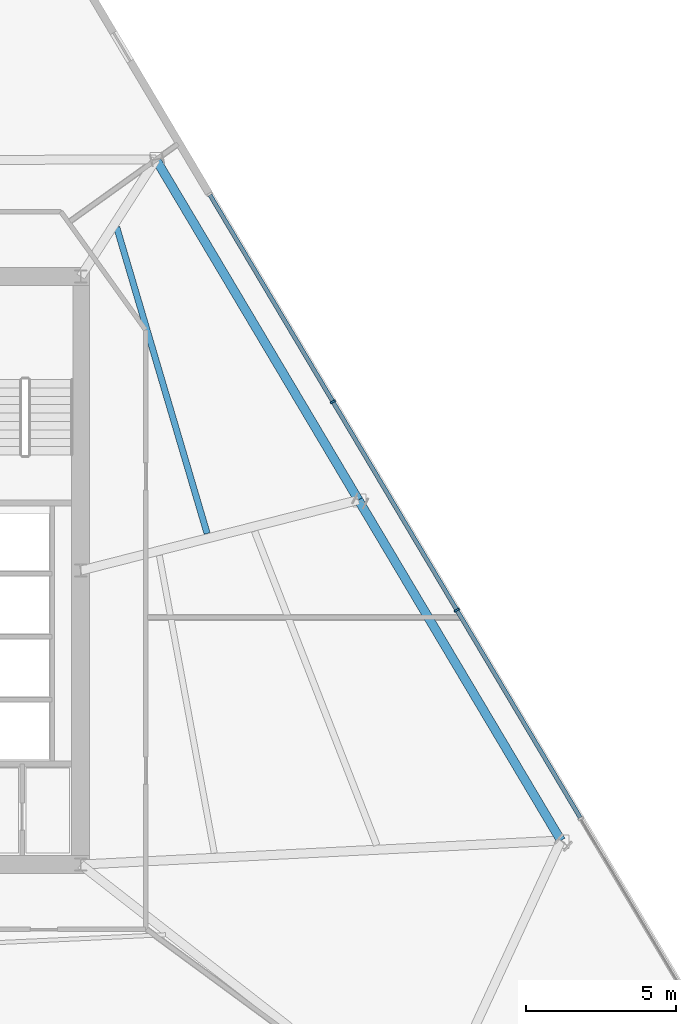
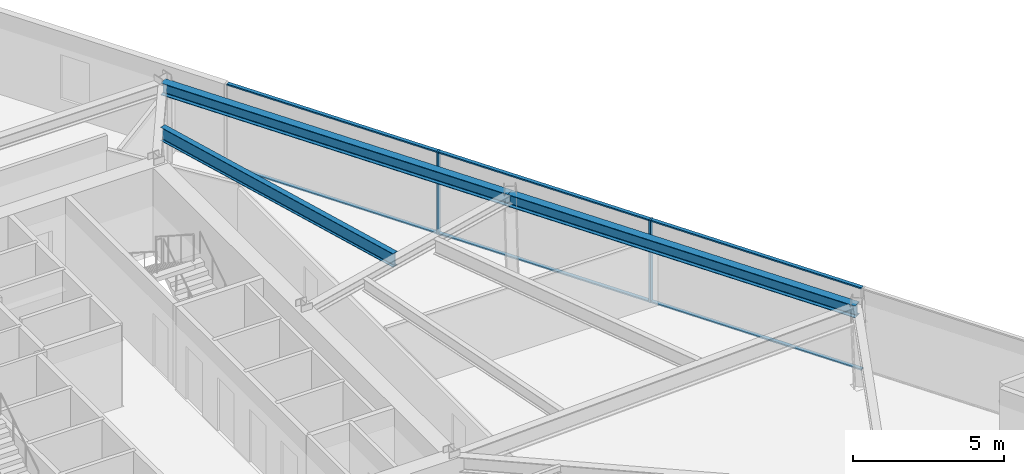
# One storey, part 5 of 15: 8 members, 3 beams, 1 element without a shape of its own.
"""IFC4 building model written with IfcOpenShell, lengths in metres."""

from ifc_helpers import new_model, si_unit, direction, frame, origin, origin_2d, place, context, subcontext, project, spatial, rectangle, i_section, extrude, material, material_profile, profile_set, type_object, element, aggregate, save


model = new_model("IFC4")

# Units and contexts
model_context = context("Model", 3, precision=1e-05, world=origin(), true_north=direction((0.0, 1.0)))
body_context = subcontext(model_context, "Body", "Model", "MODEL_VIEW")
ifc_project = project(units=[si_unit("LENGTHUNIT", "METRE"), si_unit("AREAUNIT", "SQUARE_METRE"), si_unit("VOLUMEUNIT", "CUBIC_METRE"), si_unit("PLANEANGLEUNIT", "RADIAN"), si_unit("MASSUNIT", "GRAM", prefix="KILO")], contexts=[model_context])

# Site, building, storey
site_placement = place(None, origin())
site = spatial("IfcSite", under=ifc_project, at=site_placement, CompositionType="ELEMENT")
building_placement = place(site_placement, origin())
building = spatial("IfcBuilding", under=site, at=building_placement, Name="Savorim Split Tower", CompositionType="ELEMENT")
storey_placement = place(building_placement, frame((0.0, 0.0, 82.5)))
storey = spatial("IfcBuildingStorey", under=building, at=storey_placement, Name="L21", CompositionType="ELEMENT", Elevation=82.5)

# Beams
ifc_material_1 = material(Name="Steel S355", Category="steel")
ifc_material_profile_1 = material_profile(ifc_material_1, i_section(OverallWidth=0.2099609375, OverallDepth=0.550048828125, WebThickness=0.010986328125, FlangeThickness=0.01708984375, FilletRadius=0.02392578125, at=origin_2d()), Name="IPE 550")
ifc_profile_set_1 = profile_set([ifc_material_profile_1], Name="Steel S355")
beam_type_1 = type_object("IfcBeamType", Name="BM-JST-IPE550", PredefinedType="JOIST", material=ifc_profile_set_1)
beam_1_placement = place(storey_placement, frame((11.913818359375, 1.635498046875, 3.074951171875), z_axis=(-0.283239209798, 0.959049294892, 0.0), x_axis=(-0.959049294892, -0.283239209798, 0.0)))
element("IfcBeam", 1, at=beam_1_placement, inside=storey, type_object=beam_type_1, Name="L21 Secondary Floor Joist JS-07", PredefinedType="JOIST", context=body_context, shape_type="SweptSolid", body=[
    extrude(i_section(OverallWidth=0.2099609375, OverallDepth=0.550048828125, WebThickness=0.010986328125, FlangeThickness=0.01708984375, FilletRadius=0.02392578125, at=origin_2d()), origin(), (0.0, 0.0, 1.0), 10.642578125),
])
ifc_material_profile_2 = material_profile(ifc_material_1, i_section(OverallWidth=0.300048828125, OverallDepth=0.489990234375, WebThickness=0.011962890625, FlangeThickness=0.02294921875, FilletRadius=0.027099609375, at=origin_2d()), Name="HEA 500")
ifc_profile_set_2 = profile_set([ifc_material_profile_2], Name="Steel S355")
beam_type_2 = type_object("IfcBeamType", Name="BM-SPN-HEA500", PredefinedType="SPANDREL", material=ifc_profile_set_2)
beam_2_placement = place(storey_placement, frame((23.708984375, -8.599365234375, 3.10498046875), z_axis=(-0.511099016367, 0.859521841182, 0.0), x_axis=(-0.859521841182, -0.511099016367, 0.0)))
element("IfcBeam", 2, at=beam_2_placement, inside=storey, type_object=beam_type_2, Name="L21 Perimeter Spandrel Beam 5", PredefinedType="SPANDREL", context=body_context, shape_type="SweptSolid", body=[
    extrude(i_section(OverallWidth=0.300048828125, OverallDepth=0.489990234375, WebThickness=0.011962890625, FlangeThickness=0.02294921875, FilletRadius=0.027099609375, at=origin_2d()), origin(), (0.0, 0.0, 1.0), 13.206787109375),
])
beam_3_placement = place(storey_placement, frame((16.958984375, 2.752197265625, 3.10498046875), z_axis=(-0.51109089559, 0.859526670002, 0.0), x_axis=(-0.859526670002, -0.51109089559, 0.0)))
element("IfcBeam", 3, at=beam_3_placement, inside=storey, type_object=beam_type_2, Name="L21 Perimeter Spandrel Beam 6", PredefinedType="SPANDREL", context=body_context, shape_type="SweptSolid", body=[
    extrude(i_section(OverallWidth=0.300048828125, OverallDepth=0.489990234375, WebThickness=0.011962890625, FlangeThickness=0.02294921875, FilletRadius=0.027099609375, at=origin_2d()), origin(), (0.0, 0.0, 1.0), 13.20703125),
])

# Curtain wall, members
ifc_material_2 = material(Name="Dark Ceramic-Fritted Insulated Glass", Category="glass")
curtain_wall_type = type_object("IfcCurtainWallType", Name="CW-TWR-FRIT-A", PredefinedType="NOTDEFINED", material=ifc_material_2)
curtain_wall_placement = place(storey_placement, origin())
curtain_wall = element("IfcCurtainWall", 4, at=curtain_wall_placement, inside=storey, type_object=curtain_wall_type, Name="L21 Curtain Wall CW-L21-EAST", PredefinedType="NOTDEFINED")
ifc_material_3 = material(Name="Charcoal Anodised Aluminium", Category="aluminium")
ifc_material_profile_3 = material_profile(ifc_material_3, rectangle(XDim=0.179931640625, YDim=0.06494140625, at=origin_2d()), Name="ALU-M 180x65")
ifc_profile_set_3 = profile_set([ifc_material_profile_3], Name="Charcoal Anodised Aluminium")
member_type_1 = type_object("IfcMemberType", Name="CWM-180x65", PredefinedType="MULLION", material=ifc_profile_set_3)
member_1_placement = place(storey_placement, frame((20.23681640625, -0.91845703125, 0.0), z_axis=(0.0, 0.0, 1.0), x_axis=(-0.859524537852, -0.511094481315, 0.0)))
member_1 = element("IfcMember", 5, at=member_1_placement, type_object=member_type_1, Name="CW-02 mullion 3", PredefinedType="MULLION", context=body_context, shape_type="SweptSolid", body=[
    extrude(rectangle(XDim=0.179931640625, YDim=0.06494140625, at=origin_2d()), origin(), (0.0, 0.0, 1.0), 3.35009765625),
])
member_2_placement = place(storey_placement, frame((16.106689453125, 6.027099609375, 0.0), z_axis=(0.0, 0.0, 1.0), x_axis=(-0.859524537852, -0.511094481315, 0.0)))
member_2 = element("IfcMember", 6, at=member_2_placement, type_object=member_type_1, Name="CW-02 mullion 4", PredefinedType="MULLION", context=body_context, shape_type="SweptSolid", body=[
    extrude(rectangle(XDim=0.179931640625, YDim=0.06494140625, at=origin_2d()), origin(), (0.0, 0.0, 1.0), 3.35009765625),
])
ifc_material_profile_4 = material_profile(ifc_material_3, rectangle(XDim=0.139892578125, YDim=0.054931640625, at=origin_2d()), Name="ALU-T 140x55")
ifc_profile_set_4 = profile_set([ifc_material_profile_4], Name="Charcoal Anodised Aluminium")
member_type_2 = type_object("IfcMemberType", Name="CWT-140x55", PredefinedType="USERDEFINED", material=ifc_profile_set_4)
member_3_placement = place(storey_placement, frame((24.35009765625, -7.836181640625, 0.027587890625), z_axis=(-0.511074176555, 0.859536611238, 0.0), x_axis=(-0.859536611238, -0.511074176555, 0.0)))
member_3 = element("IfcMember", 7, at=member_3_placement, type_object=member_type_2, Name="CW-02 transom 2.1", ObjectType="TRANSOM", PredefinedType="USERDEFINED", context=body_context, shape_type="SweptSolid", body=[
    extrude(rectangle(XDim=0.139892578125, YDim=0.054931640625, at=origin_2d()), origin(), (0.0, 0.0, 1.0), 8.015869140625),
])
member_4_placement = place(storey_placement, frame((24.35009765625, -7.836181640625, 3.322509765625), z_axis=(-0.511074176555, 0.859536611238, 0.0), x_axis=(-0.859536611238, -0.511074176555, 0.0)))
member_4 = element("IfcMember", 8, at=member_4_placement, type_object=member_type_2, Name="CW-02 transom 2.2", ObjectType="TRANSOM", PredefinedType="USERDEFINED", context=body_context, shape_type="SweptSolid", body=[
    extrude(rectangle(XDim=0.139892578125, YDim=0.054931640625, at=origin_2d()), origin(), (0.0, 0.0, 1.0), 8.015869140625),
])
member_5_placement = place(storey_placement, frame((20.22021484375, -0.890380859375, 0.027587890625), z_axis=(-0.511110057984, 0.859515275389, 0.0), x_axis=(-0.859515275389, -0.511110057984, 0.0)))
member_5 = element("IfcMember", 9, at=member_5_placement, type_object=member_type_2, Name="CW-02 transom 3.1", ObjectType="TRANSOM", PredefinedType="USERDEFINED", context=body_context, shape_type="SweptSolid", body=[
    extrude(rectangle(XDim=0.139892578125, YDim=0.054931640625, at=origin_2d()), origin(), (0.0, 0.0, 1.0), 8.015625),
])
member_6_placement = place(storey_placement, frame((20.22021484375, -0.890380859375, 3.322509765625), z_axis=(-0.511110057984, 0.859515275389, 0.0), x_axis=(-0.859515275389, -0.511110057984, 0.0)))
member_6 = element("IfcMember", 10, at=member_6_placement, type_object=member_type_2, Name="CW-02 transom 3.2", ObjectType="TRANSOM", PredefinedType="USERDEFINED", context=body_context, shape_type="SweptSolid", body=[
    extrude(rectangle(XDim=0.139892578125, YDim=0.054931640625, at=origin_2d()), origin(), (0.0, 0.0, 1.0), 8.015625),
])
member_7_placement = place(storey_placement, frame((16.090087890625, 6.05517578125, 0.027587890625), z_axis=(-0.511082720603, 0.859531530952, 0.0), x_axis=(-0.859531530952, -0.511082720603, 0.0)))
member_7 = element("IfcMember", 11, at=member_7_placement, type_object=member_type_2, Name="CW-02 transom 4.1", ObjectType="TRANSOM", PredefinedType="USERDEFINED", context=body_context, shape_type="SweptSolid", body=[
    extrude(rectangle(XDim=0.139892578125, YDim=0.054931640625, at=origin_2d()), origin(), (0.0, 0.0, 1.0), 7.983154296875),
])
member_8_placement = place(storey_placement, frame((16.090087890625, 6.05517578125, 3.322509765625), z_axis=(-0.511082720603, 0.859531530952, 0.0), x_axis=(-0.859531530952, -0.511082720603, 0.0)))
member_8 = element("IfcMember", 12, at=member_8_placement, type_object=member_type_2, Name="CW-02 transom 4.2", ObjectType="TRANSOM", PredefinedType="USERDEFINED", context=body_context, shape_type="SweptSolid", body=[
    extrude(rectangle(XDim=0.139892578125, YDim=0.054931640625, at=origin_2d()), origin(), (0.0, 0.0, 1.0), 7.983154296875),
])
aggregate(curtain_wall, [member_1, member_2, member_3, member_4, member_5, member_6, member_7, member_8])

save(model, "model.ifc")
